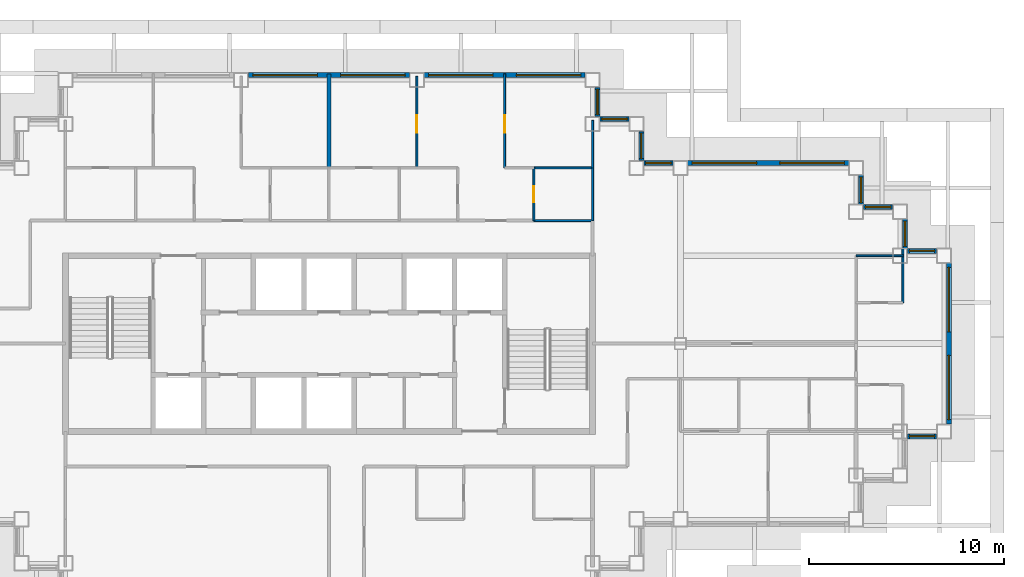
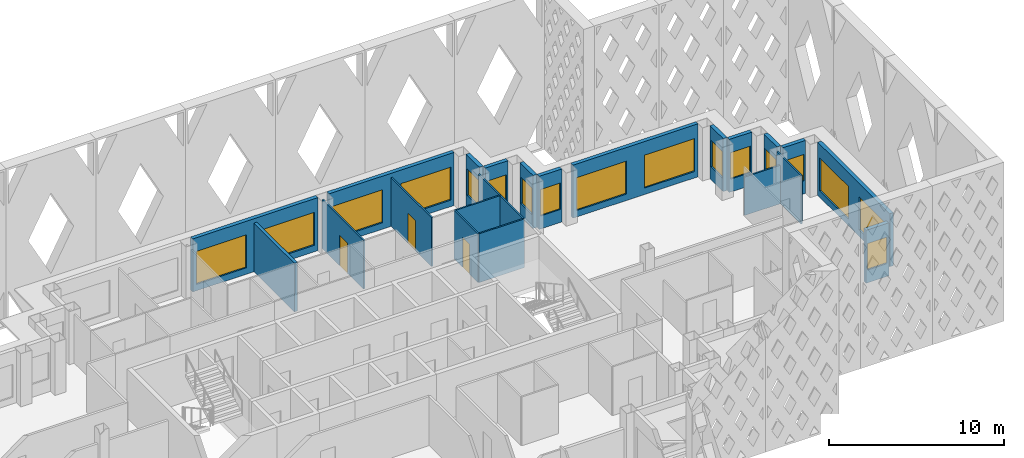
# One storey, part 9 of 18: 23 walls, 17 windows, 3 doors, 20 openings.
"""IFC4 building model written with IfcOpenShell, lengths in metres."""

from ifc_helpers import new_model, si_unit, direction, frame, frame_2d, origin, place, context, subcontext, project, spatial, rectangle, extrude, material, layer, layer_set, type_object, element, fill, save


model = new_model("IFC4")

# Units and contexts
model_context = context("Model", 3, precision=1e-05, world=origin(), true_north=direction((0.0, 1.0)))
body_context = subcontext(model_context, "Body", "Model", "MODEL_VIEW")
ifc_project = project(units=[si_unit("LENGTHUNIT", "METRE"), si_unit("AREAUNIT", "SQUARE_METRE"), si_unit("VOLUMEUNIT", "CUBIC_METRE"), si_unit("PLANEANGLEUNIT", "RADIAN"), si_unit("MASSUNIT", "GRAM", prefix="KILO")], contexts=[model_context])

# Site, building, storey
site_placement = place(None, origin())
site = spatial("IfcSite", under=ifc_project, at=site_placement, CompositionType="ELEMENT")
building_placement = place(site_placement, origin())
building = spatial("IfcBuilding", under=site, at=building_placement, Name="Caravel Reach Hotel and Residences", CompositionType="ELEMENT")
storey_placement = place(building_placement, frame((0.0, 0.0, 176.5)))
storey = spatial("IfcBuildingStorey", under=building, at=storey_placement, Name="L44", CompositionType="ELEMENT", Elevation=176.5)

# Walls
ifc_material_1 = material(Name="Gypsum board on steel stud", Category="steel")
ifc_layer_1 = layer(ifc_material_1, 0.10009765625)
ifc_layer_set_1 = layer_set([ifc_layer_1], Name="Bathroom pod wall 100 mm")
wall_type_1 = type_object("IfcWallType", Name="Bathroom pod wall 100 mm", PredefinedType="PARTITIONING", material=ifc_layer_set_1)
for number, where, z_axis, x_axis, name in (
    (1, (42.0, 33.300048828125, 0.0), (0.0, 0.0, 1.0), (1.0, 0.0, 0.0), "L44 wall w100"),
    (2, (42.0, 36.0, 0.0), (0.0, 0.0, 1.0), (1.0, 0.0, 0.0), "L44 wall w104"),
):
    element("IfcWall", number, at=place(storey_placement, frame(where, z_axis=z_axis, x_axis=x_axis)), inside=storey, type_object=wall_type_1, Name=name, PredefinedType="PARTITIONING", context=body_context, shape_type="SweptSolid", body=[
        extrude(rectangle(XDim=3.0, YDim=0.10009765625, at=frame_2d((1.5, 0.0))), origin(), (0.0, 0.0, 1.0), 3.39990234375),
    ])

# Wall, opening, door
wall_1_placement = place(storey_placement, frame((42.0, 33.300048828125, 0.0), z_axis=(0.0, 0.0, 1.0), x_axis=(0.0, 1.0, 0.0)))
wall_1 = element("IfcWall", 3, at=wall_1_placement, inside=storey, type_object=wall_type_1, Name="L44 wall w120", PredefinedType="PARTITIONING", context=body_context, shape_type="SweptSolid", body=[
    extrude(rectangle(XDim=2.699951171875, YDim=0.10009765625, at=frame_2d((1.35009765625, 0.0))), origin(), (0.0, 0.0, 1.0), 3.39990234375),
])
opening_1_placement = place(wall_1_placement, frame((0.949951171875, 0.0, 0.0)))
opening_1 = element("IfcOpeningElement", 4, at=opening_1_placement, cuts=wall_1, Name="Opening D44-026", PredefinedType="OPENING", context=body_context, shape_type="SweptSolid", body=[
    extrude(rectangle(XDim=0.800048828125, YDim=2.10009765625, at=frame_2d((0.39990234375, 1.050048828125))), frame((0.0, 0.06005859375, 0.0), z_axis=(0.0, -1.0, 0.0), x_axis=(1.0, 0.0, 0.0)), (0.0, 0.0, 1.0), 0.1201171875),
])
ifc_material_2 = material(Name="Timber and steel door leaf", Category="steel")
door_type_1 = type_object("IfcDoorType", Name="Bathroom door 800 x 2100", OperationType="SINGLE_SWING_LEFT", PredefinedType="DOOR", material=ifc_material_2)
door_1_placement = place(opening_1_placement, origin())
door_1 = element("IfcDoor", 5, at=door_1_placement, inside=storey, type_object=door_type_1, Name="door D44-026", OperationType="SINGLE_SWING_RIGHT", OverallHeight=2.10009765625, OverallWidth=0.800048828125, PredefinedType="DOOR", context=body_context, shape_type="SweptSolid", body=[
    extrude(rectangle(XDim=0.800048828125, YDim=2.10009765625, at=frame_2d((0.39990234375, 1.050048828125))), frame((0.0, 0.02490234375, 0.0), z_axis=(0.0, -1.0, 0.0), x_axis=(1.0, 0.0, 0.0)), (0.0, 0.0, 1.0), 0.050048828125),
])
fill(opening_1, door_1)

# Walls
wall_2_placement = place(storey_placement, frame((45.0, 33.300048828125, 0.0), z_axis=(0.0, 0.0, 1.0), x_axis=(0.0, 1.0, 0.0)))
element("IfcWall", 6, at=wall_2_placement, inside=storey, type_object=wall_type_1, Name="L44 wall w121", PredefinedType="PARTITIONING", context=body_context, shape_type="SweptSolid", body=[
    extrude(rectangle(XDim=2.699951171875, YDim=0.10009765625, at=frame_2d((1.35009765625, 0.0))), origin(), (0.0, 0.0, 1.0), 3.39990234375),
])
wall_3_placement = place(storey_placement, frame((60.89990234375, 29.10009765625, 0.0), z_axis=(0.0, 0.0, 1.0), x_axis=(0.0, 1.0, 0.0)))
element("IfcWall", 7, at=wall_3_placement, inside=storey, type_object=wall_type_1, Name="L44 wall w124", PredefinedType="PARTITIONING", context=body_context, shape_type="SweptSolid", body=[
    extrude(rectangle(XDim=2.77490234375, YDim=0.10009765625, at=frame_2d((1.387451171875, 0.0))), origin(), (0.0, 0.0, 1.0), 3.39990234375),
])

# Wall, opening, window
ifc_material_3 = material(Name="Insulated rainscreen wall, aluminium cladding", Category="aluminium")
ifc_layer_2 = layer(ifc_material_3, 0.25)
ifc_layer_set_2 = layer_set([ifc_layer_2], Name="EW1 Tower rainscreen wall")
wall_type_2 = type_object("IfcWallType", Name="EW1 Tower rainscreen wall", PredefinedType="SOLIDWALL", material=ifc_layer_set_2)
wall_4_placement = place(storey_placement, frame((61.125, 22.25, 0.0), z_axis=(0.0, 0.0, 1.0), x_axis=(1.0, 0.0, 0.0)))
wall_4 = element("IfcWall", 8, at=wall_4_placement, inside=storey, type_object=wall_type_2, Name="External wall L44 S19.1", PredefinedType="SOLIDWALL", context=body_context, shape_type="SweptSolid", body=[
    extrude(rectangle(XDim=1.5, YDim=0.25, at=frame_2d((0.75, 0.0))), origin(), (0.0, 0.0, 1.0), 3.699951171875),
])
opening_2_placement = place(wall_4_placement, frame((0.10009765625, 0.0, 0.89990234375)))
opening_2 = element("IfcOpeningElement", 9, at=opening_2_placement, cuts=wall_4, Name="Opening WN16", PredefinedType="OPENING", context=body_context, shape_type="SweptSolid", body=[
    extrude(rectangle(XDim=1.300048828125, YDim=1.85009765625, at=frame_2d((0.64990234375, 0.925048828125))), frame((0.0, 0.135009765625, 0.0), z_axis=(0.0, -1.0, 0.0), x_axis=(1.0, 0.0, 0.0)), (0.0, 0.0, 1.0), 0.27001953125),
])
ifc_material_4 = material(Name="Dark low-e glazing in black aluminium frame", Category="aluminium")
window_type_1 = type_object("IfcWindowType", Name="Residence bedroom window 1300 x 1850", PartitioningType="SINGLE_PANEL", PredefinedType="WINDOW", material=ifc_material_4)
window_1_placement = place(opening_2_placement, origin())
window_1 = element("IfcWindow", 10, at=window_1_placement, inside=storey, type_object=window_type_1, Name="Window L44 S19.1.1", OverallHeight=1.85009765625, OverallWidth=1.300048828125, PartitioningType="SINGLE_PANEL", PredefinedType="WINDOW", context=body_context, shape_type="SweptSolid", body=[
    extrude(rectangle(XDim=1.300048828125, YDim=1.85009765625, at=frame_2d((0.64990234375, 0.925048828125))), frame((0.0, 0.030029296875, 0.0), z_axis=(0.0, -1.0, 0.0), x_axis=(1.0, 0.0, 0.0)), (0.0, 0.0, 1.0), 0.06005859375),
])
fill(opening_2, window_1)

# Wall, openings, windows
wall_5_placement = place(storey_placement, frame((63.25, 22.875, 0.0), z_axis=(0.0, 0.0, 1.0), x_axis=(0.0, 1.0, 0.0)))
wall_5 = element("IfcWall", 11, at=wall_5_placement, inside=storey, type_object=wall_type_2, Name="External wall L44 E20.1", PredefinedType="SOLIDWALL", context=body_context, shape_type="SweptSolid", body=[
    extrude(rectangle(XDim=8.25, YDim=0.25, at=frame_2d((4.125, 0.0))), origin(), (0.0, 0.0, 1.0), 3.699951171875),
])
opening_3_placement = place(wall_5_placement, frame((0.22509765625, 0.0, 0.449951171875)))
opening_3 = element("IfcOpeningElement", 12, at=opening_3_placement, cuts=wall_5, Name="Opening WN15", PredefinedType="OPENING", context=body_context, shape_type="SweptSolid", body=[
    extrude(rectangle(XDim=3.300048828125, YDim=2.300048828125, at=frame_2d((1.64990234375, 1.14990234375))), frame((0.0, 0.135009765625, 0.0), z_axis=(0.0, -1.0, 0.0), x_axis=(1.0, 0.0, 0.0)), (0.0, 0.0, 1.0), 0.27001953125),
])
opening_4_placement = place(wall_5_placement, frame((4.72509765625, 0.0, 0.449951171875)))
opening_4 = element("IfcOpeningElement", 13, at=opening_4_placement, cuts=wall_5, Name="Opening WN15", PredefinedType="OPENING", context=body_context, shape_type="SweptSolid", body=[
    extrude(rectangle(XDim=3.300048828125, YDim=2.300048828125, at=frame_2d((1.64990234375, 1.14990234375))), frame((0.0, 0.135009765625, 0.0), z_axis=(0.0, -1.0, 0.0), x_axis=(1.0, 0.0, 0.0)), (0.0, 0.0, 1.0), 0.27001953125),
])
ifc_material_5 = material(Name="Dark low-e glazing in black aluminium frame", Category="aluminium")
window_type_2 = type_object("IfcWindowType", Name="Residence living window 3300 x 2300", PartitioningType="SINGLE_PANEL", PredefinedType="WINDOW", material=ifc_material_5)
window_2_placement = place(opening_3_placement, origin())
window_2 = element("IfcWindow", 14, at=window_2_placement, inside=storey, type_object=window_type_2, Name="Window L44 E20.1.1", OverallHeight=2.300048828125, OverallWidth=3.300048828125, PartitioningType="SINGLE_PANEL", PredefinedType="WINDOW", context=body_context, shape_type="SweptSolid", body=[
    extrude(rectangle(XDim=3.300048828125, YDim=2.300048828125, at=frame_2d((1.64990234375, 1.14990234375))), frame((0.0, 0.030029296875, 0.0), z_axis=(0.0, -1.0, 0.0), x_axis=(1.0, 0.0, 0.0)), (0.0, 0.0, 1.0), 0.06005859375),
])
fill(opening_3, window_2)
window_3_placement = place(opening_4_placement, origin())
window_3 = element("IfcWindow", 15, at=window_3_placement, inside=storey, type_object=window_type_2, Name="Window L44 E20.1.2", OverallHeight=2.300048828125, OverallWidth=3.300048828125, PartitioningType="SINGLE_PANEL", PredefinedType="WINDOW", context=body_context, shape_type="SweptSolid", body=[
    extrude(rectangle(XDim=3.300048828125, YDim=2.300048828125, at=frame_2d((1.64990234375, 1.14990234375))), frame((0.0, 0.030029296875, 0.0), z_axis=(0.0, -1.0, 0.0), x_axis=(1.0, 0.0, 0.0)), (0.0, 0.0, 1.0), 0.06005859375),
])
fill(opening_4, window_3)

# Wall, opening, window
wall_6_placement = place(storey_placement, frame((62.625, 31.75, 0.0), z_axis=(0.0, 0.0, 1.0), x_axis=(-1.0, 0.0, 0.0)))
wall_6 = element("IfcWall", 16, at=wall_6_placement, inside=storey, type_object=wall_type_2, Name="External wall L44 N21.1", PredefinedType="SOLIDWALL", context=body_context, shape_type="SweptSolid", body=[
    extrude(rectangle(XDim=1.5, YDim=0.25, at=frame_2d((0.75, 0.0))), origin(), (0.0, 0.0, 1.0), 3.699951171875),
])
opening_5_placement = place(wall_6_placement, frame((0.10009765625, 0.0, 0.89990234375)))
opening_5 = element("IfcOpeningElement", 17, at=opening_5_placement, cuts=wall_6, Name="Opening WN16", PredefinedType="OPENING", context=body_context, shape_type="SweptSolid", body=[
    extrude(rectangle(XDim=1.300048828125, YDim=1.85009765625, at=frame_2d((0.64990234375, 0.925048828125))), frame((0.0, 0.135009765625, 0.0), z_axis=(0.0, -1.0, 0.0), x_axis=(1.0, 0.0, 0.0)), (0.0, 0.0, 1.0), 0.27001953125),
])
window_4_placement = place(opening_5_placement, origin())
window_4 = element("IfcWindow", 18, at=window_4_placement, inside=storey, type_object=window_type_1, Name="Window L44 N21.1.1", OverallHeight=1.85009765625, OverallWidth=1.300048828125, PartitioningType="SINGLE_PANEL", PredefinedType="WINDOW", context=body_context, shape_type="SweptSolid", body=[
    extrude(rectangle(XDim=1.300048828125, YDim=1.85009765625, at=frame_2d((0.64990234375, 0.925048828125))), frame((0.0, 0.030029296875, 0.0), z_axis=(0.0, -1.0, 0.0), x_axis=(1.0, 0.0, 0.0)), (0.0, 0.0, 1.0), 0.06005859375),
])
fill(opening_5, window_4)

wall_7_placement = place(storey_placement, frame((61.0, 31.875, 0.0), z_axis=(0.0, 0.0, 1.0), x_axis=(0.0, 1.0, 0.0)))
wall_7 = element("IfcWall", 19, at=wall_7_placement, inside=storey, type_object=wall_type_2, Name="External wall L44 E22.1", PredefinedType="SOLIDWALL", context=body_context, shape_type="SweptSolid", body=[
    extrude(rectangle(XDim=1.5, YDim=0.25, at=frame_2d((0.75, 0.0))), origin(), (0.0, 0.0, 1.0), 3.699951171875),
])
opening_6_placement = place(wall_7_placement, frame((0.10009765625, 0.0, 0.89990234375)))
opening_6 = element("IfcOpeningElement", 20, at=opening_6_placement, cuts=wall_7, Name="Opening WN16", PredefinedType="OPENING", context=body_context, shape_type="SweptSolid", body=[
    extrude(rectangle(XDim=1.300048828125, YDim=1.85009765625, at=frame_2d((0.64990234375, 0.925048828125))), frame((0.0, 0.135009765625, 0.0), z_axis=(0.0, -1.0, 0.0), x_axis=(1.0, 0.0, 0.0)), (0.0, 0.0, 1.0), 0.27001953125),
])
window_5_placement = place(opening_6_placement, origin())
window_5 = element("IfcWindow", 21, at=window_5_placement, inside=storey, type_object=window_type_1, Name="Window L44 E22.1.1", OverallHeight=1.85009765625, OverallWidth=1.300048828125, PartitioningType="SINGLE_PANEL", PredefinedType="WINDOW", context=body_context, shape_type="SweptSolid", body=[
    extrude(rectangle(XDim=1.300048828125, YDim=1.85009765625, at=frame_2d((0.64990234375, 0.925048828125))), frame((0.0, 0.030029296875, 0.0), z_axis=(0.0, -1.0, 0.0), x_axis=(1.0, 0.0, 0.0)), (0.0, 0.0, 1.0), 0.06005859375),
])
fill(opening_6, window_5)

wall_8_placement = place(storey_placement, frame((60.375, 34.0, 0.0), z_axis=(0.0, 0.0, 1.0), x_axis=(-1.0, 0.0, 0.0)))
wall_8 = element("IfcWall", 22, at=wall_8_placement, inside=storey, type_object=wall_type_2, Name="External wall L44 N23.1", PredefinedType="SOLIDWALL", context=body_context, shape_type="SweptSolid", body=[
    extrude(rectangle(XDim=1.5, YDim=0.25, at=frame_2d((0.75, 0.0))), origin(), (0.0, 0.0, 1.0), 3.699951171875),
])
opening_7_placement = place(wall_8_placement, frame((0.10009765625, 0.0, 0.89990234375)))
opening_7 = element("IfcOpeningElement", 23, at=opening_7_placement, cuts=wall_8, Name="Opening WN16", PredefinedType="OPENING", context=body_context, shape_type="SweptSolid", body=[
    extrude(rectangle(XDim=1.300048828125, YDim=1.85009765625, at=frame_2d((0.64990234375, 0.925048828125))), frame((0.0, 0.135009765625, 0.0), z_axis=(0.0, -1.0, 0.0), x_axis=(1.0, 0.0, 0.0)), (0.0, 0.0, 1.0), 0.27001953125),
])
window_6_placement = place(opening_7_placement, origin())
window_6 = element("IfcWindow", 24, at=window_6_placement, inside=storey, type_object=window_type_1, Name="Window L44 N23.1.1", OverallHeight=1.85009765625, OverallWidth=1.300048828125, PartitioningType="SINGLE_PANEL", PredefinedType="WINDOW", context=body_context, shape_type="SweptSolid", body=[
    extrude(rectangle(XDim=1.300048828125, YDim=1.85009765625, at=frame_2d((0.64990234375, 0.925048828125))), frame((0.0, 0.030029296875, 0.0), z_axis=(0.0, -1.0, 0.0), x_axis=(1.0, 0.0, 0.0)), (0.0, 0.0, 1.0), 0.06005859375),
])
fill(opening_7, window_6)

wall_9_placement = place(storey_placement, frame((58.75, 34.125, 0.0), z_axis=(0.0, 0.0, 1.0), x_axis=(0.0, 1.0, 0.0)))
wall_9 = element("IfcWall", 25, at=wall_9_placement, inside=storey, type_object=wall_type_2, Name="External wall L44 E24.1", PredefinedType="SOLIDWALL", context=body_context, shape_type="SweptSolid", body=[
    extrude(rectangle(XDim=1.5, YDim=0.25, at=frame_2d((0.75, 0.0))), origin(), (0.0, 0.0, 1.0), 3.699951171875),
])
opening_8_placement = place(wall_9_placement, frame((0.10009765625, 0.0, 0.89990234375)))
opening_8 = element("IfcOpeningElement", 26, at=opening_8_placement, cuts=wall_9, Name="Opening WN16", PredefinedType="OPENING", context=body_context, shape_type="SweptSolid", body=[
    extrude(rectangle(XDim=1.300048828125, YDim=1.85009765625, at=frame_2d((0.64990234375, 0.925048828125))), frame((0.0, 0.135009765625, 0.0), z_axis=(0.0, -1.0, 0.0), x_axis=(1.0, 0.0, 0.0)), (0.0, 0.0, 1.0), 0.27001953125),
])
window_7_placement = place(opening_8_placement, origin())
window_7 = element("IfcWindow", 27, at=window_7_placement, inside=storey, type_object=window_type_1, Name="Window L44 E24.1.1", OverallHeight=1.85009765625, OverallWidth=1.300048828125, PartitioningType="SINGLE_PANEL", PredefinedType="WINDOW", context=body_context, shape_type="SweptSolid", body=[
    extrude(rectangle(XDim=1.300048828125, YDim=1.85009765625, at=frame_2d((0.64990234375, 0.925048828125))), frame((0.0, 0.030029296875, 0.0), z_axis=(0.0, -1.0, 0.0), x_axis=(1.0, 0.0, 0.0)), (0.0, 0.0, 1.0), 0.06005859375),
])
fill(opening_8, window_7)

# Wall, openings, windows
wall_10_placement = place(storey_placement, frame((58.125, 36.25, 0.0), z_axis=(0.0, 0.0, 1.0), x_axis=(-1.0, 0.0, 0.0)))
wall_10 = element("IfcWall", 28, at=wall_10_placement, inside=storey, type_object=wall_type_2, Name="External wall L44 N25.1", PredefinedType="SOLIDWALL", context=body_context, shape_type="SweptSolid", body=[
    extrude(rectangle(XDim=8.25, YDim=0.25, at=frame_2d((4.125, 0.0))), origin(), (0.0, 0.0, 1.0), 3.699951171875),
])
opening_9_placement = place(wall_10_placement, frame((0.22509765625, 0.0, 0.449951171875)))
opening_9 = element("IfcOpeningElement", 29, at=opening_9_placement, cuts=wall_10, Name="Opening WN15", PredefinedType="OPENING", context=body_context, shape_type="SweptSolid", body=[
    extrude(rectangle(XDim=3.300048828125, YDim=2.300048828125, at=frame_2d((1.64990234375, 1.14990234375))), frame((0.0, 0.135009765625, 0.0), z_axis=(0.0, -1.0, 0.0), x_axis=(1.0, 0.0, 0.0)), (0.0, 0.0, 1.0), 0.27001953125),
])
opening_10_placement = place(wall_10_placement, frame((4.72509765625, 0.0, 0.449951171875)))
opening_10 = element("IfcOpeningElement", 30, at=opening_10_placement, cuts=wall_10, Name="Opening WN15", PredefinedType="OPENING", context=body_context, shape_type="SweptSolid", body=[
    extrude(rectangle(XDim=3.300048828125, YDim=2.300048828125, at=frame_2d((1.64990234375, 1.14990234375))), frame((0.0, 0.135009765625, 0.0), z_axis=(0.0, -1.0, 0.0), x_axis=(1.0, 0.0, 0.0)), (0.0, 0.0, 1.0), 0.27001953125),
])
window_8_placement = place(opening_9_placement, origin())
window_8 = element("IfcWindow", 31, at=window_8_placement, inside=storey, type_object=window_type_2, Name="Window L44 N25.1.1", OverallHeight=2.300048828125, OverallWidth=3.300048828125, PartitioningType="SINGLE_PANEL", PredefinedType="WINDOW", context=body_context, shape_type="SweptSolid", body=[
    extrude(rectangle(XDim=3.300048828125, YDim=2.300048828125, at=frame_2d((1.64990234375, 1.14990234375))), frame((0.0, 0.030029296875, 0.0), z_axis=(0.0, -1.0, 0.0), x_axis=(1.0, 0.0, 0.0)), (0.0, 0.0, 1.0), 0.06005859375),
])
fill(opening_9, window_8)
window_9_placement = place(opening_10_placement, origin())
window_9 = element("IfcWindow", 32, at=window_9_placement, inside=storey, type_object=window_type_2, Name="Window L44 N25.1.2", OverallHeight=2.300048828125, OverallWidth=3.300048828125, PartitioningType="SINGLE_PANEL", PredefinedType="WINDOW", context=body_context, shape_type="SweptSolid", body=[
    extrude(rectangle(XDim=3.300048828125, YDim=2.300048828125, at=frame_2d((1.64990234375, 1.14990234375))), frame((0.0, 0.030029296875, 0.0), z_axis=(0.0, -1.0, 0.0), x_axis=(1.0, 0.0, 0.0)), (0.0, 0.0, 1.0), 0.06005859375),
])
fill(opening_10, window_9)

# Wall, opening, window
wall_11_placement = place(storey_placement, frame((49.125, 36.25, 0.0), z_axis=(0.0, 0.0, 1.0), x_axis=(-1.0, 0.0, 0.0)))
wall_11 = element("IfcWall", 33, at=wall_11_placement, inside=storey, type_object=wall_type_2, Name="External wall L44 N25.2", PredefinedType="SOLIDWALL", context=body_context, shape_type="SweptSolid", body=[
    extrude(rectangle(XDim=1.5, YDim=0.25, at=frame_2d((0.75, 0.0))), origin(), (0.0, 0.0, 1.0), 3.699951171875),
])
opening_11_placement = place(wall_11_placement, frame((0.10009765625, 0.0, 0.89990234375)))
opening_11 = element("IfcOpeningElement", 34, at=opening_11_placement, cuts=wall_11, Name="Opening WN16", PredefinedType="OPENING", context=body_context, shape_type="SweptSolid", body=[
    extrude(rectangle(XDim=1.300048828125, YDim=1.85009765625, at=frame_2d((0.64990234375, 0.925048828125))), frame((0.0, 0.135009765625, 0.0), z_axis=(0.0, -1.0, 0.0), x_axis=(1.0, 0.0, 0.0)), (0.0, 0.0, 1.0), 0.27001953125),
])
window_10_placement = place(opening_11_placement, origin())
window_10 = element("IfcWindow", 35, at=window_10_placement, inside=storey, type_object=window_type_1, Name="Window L44 N25.2.1", OverallHeight=1.85009765625, OverallWidth=1.300048828125, PartitioningType="SINGLE_PANEL", PredefinedType="WINDOW", context=body_context, shape_type="SweptSolid", body=[
    extrude(rectangle(XDim=1.300048828125, YDim=1.85009765625, at=frame_2d((0.64990234375, 0.925048828125))), frame((0.0, 0.030029296875, 0.0), z_axis=(0.0, -1.0, 0.0), x_axis=(1.0, 0.0, 0.0)), (0.0, 0.0, 1.0), 0.06005859375),
])
fill(opening_11, window_10)

wall_12_placement = place(storey_placement, frame((47.5, 36.375, 0.0), z_axis=(0.0, 0.0, 1.0), x_axis=(0.0, 1.0, 0.0)))
wall_12 = element("IfcWall", 36, at=wall_12_placement, inside=storey, type_object=wall_type_2, Name="External wall L44 E26.1", PredefinedType="SOLIDWALL", context=body_context, shape_type="SweptSolid", body=[
    extrude(rectangle(XDim=1.5, YDim=0.25, at=frame_2d((0.75, 0.0))), origin(), (0.0, 0.0, 1.0), 3.699951171875),
])
opening_12_placement = place(wall_12_placement, frame((0.10009765625, 0.0, 0.89990234375)))
opening_12 = element("IfcOpeningElement", 37, at=opening_12_placement, cuts=wall_12, Name="Opening WN16", PredefinedType="OPENING", context=body_context, shape_type="SweptSolid", body=[
    extrude(rectangle(XDim=1.300048828125, YDim=1.85009765625, at=frame_2d((0.64990234375, 0.925048828125))), frame((0.0, 0.135009765625, 0.0), z_axis=(0.0, -1.0, 0.0), x_axis=(1.0, 0.0, 0.0)), (0.0, 0.0, 1.0), 0.27001953125),
])
window_11_placement = place(opening_12_placement, origin())
window_11 = element("IfcWindow", 38, at=window_11_placement, inside=storey, type_object=window_type_1, Name="Window L44 E26.1.1", OverallHeight=1.85009765625, OverallWidth=1.300048828125, PartitioningType="SINGLE_PANEL", PredefinedType="WINDOW", context=body_context, shape_type="SweptSolid", body=[
    extrude(rectangle(XDim=1.300048828125, YDim=1.85009765625, at=frame_2d((0.64990234375, 0.925048828125))), frame((0.0, 0.030029296875, 0.0), z_axis=(0.0, -1.0, 0.0), x_axis=(1.0, 0.0, 0.0)), (0.0, 0.0, 1.0), 0.06005859375),
])
fill(opening_12, window_11)

wall_13_placement = place(storey_placement, frame((46.875, 38.5, 0.0), z_axis=(0.0, 0.0, 1.0), x_axis=(-1.0, 0.0, 0.0)))
wall_13 = element("IfcWall", 39, at=wall_13_placement, inside=storey, type_object=wall_type_2, Name="External wall L44 N27.1", PredefinedType="SOLIDWALL", context=body_context, shape_type="SweptSolid", body=[
    extrude(rectangle(XDim=1.5, YDim=0.25, at=frame_2d((0.75, 0.0))), origin(), (0.0, 0.0, 1.0), 3.699951171875),
])
opening_13_placement = place(wall_13_placement, frame((0.10009765625, 0.0, 0.89990234375)))
opening_13 = element("IfcOpeningElement", 40, at=opening_13_placement, cuts=wall_13, Name="Opening WN16", PredefinedType="OPENING", context=body_context, shape_type="SweptSolid", body=[
    extrude(rectangle(XDim=1.300048828125, YDim=1.85009765625, at=frame_2d((0.64990234375, 0.925048828125))), frame((0.0, 0.135009765625, 0.0), z_axis=(0.0, -1.0, 0.0), x_axis=(1.0, 0.0, 0.0)), (0.0, 0.0, 1.0), 0.27001953125),
])
window_12_placement = place(opening_13_placement, origin())
window_12 = element("IfcWindow", 41, at=window_12_placement, inside=storey, type_object=window_type_1, Name="Window L44 N27.1.1", OverallHeight=1.85009765625, OverallWidth=1.300048828125, PartitioningType="SINGLE_PANEL", PredefinedType="WINDOW", context=body_context, shape_type="SweptSolid", body=[
    extrude(rectangle(XDim=1.300048828125, YDim=1.85009765625, at=frame_2d((0.64990234375, 0.925048828125))), frame((0.0, 0.030029296875, 0.0), z_axis=(0.0, -1.0, 0.0), x_axis=(1.0, 0.0, 0.0)), (0.0, 0.0, 1.0), 0.06005859375),
])
fill(opening_13, window_12)

wall_14_placement = place(storey_placement, frame((45.25, 38.625, 0.0), z_axis=(0.0, 0.0, 1.0), x_axis=(0.0, 1.0, 0.0)))
wall_14 = element("IfcWall", 42, at=wall_14_placement, inside=storey, type_object=wall_type_2, Name="External wall L44 E28.1", PredefinedType="SOLIDWALL", context=body_context, shape_type="SweptSolid", body=[
    extrude(rectangle(XDim=1.5, YDim=0.25, at=frame_2d((0.75, 0.0))), origin(), (0.0, 0.0, 1.0), 3.699951171875),
])
opening_14_placement = place(wall_14_placement, frame((0.10009765625, 0.0, 0.89990234375)))
opening_14 = element("IfcOpeningElement", 43, at=opening_14_placement, cuts=wall_14, Name="Opening WN16", PredefinedType="OPENING", context=body_context, shape_type="SweptSolid", body=[
    extrude(rectangle(XDim=1.300048828125, YDim=1.85009765625, at=frame_2d((0.64990234375, 0.925048828125))), frame((0.0, 0.135009765625, 0.0), z_axis=(0.0, -1.0, 0.0), x_axis=(1.0, 0.0, 0.0)), (0.0, 0.0, 1.0), 0.27001953125),
])
window_13_placement = place(opening_14_placement, origin())
window_13 = element("IfcWindow", 44, at=window_13_placement, inside=storey, type_object=window_type_1, Name="Window L44 E28.1.1", OverallHeight=1.85009765625, OverallWidth=1.300048828125, PartitioningType="SINGLE_PANEL", PredefinedType="WINDOW", context=body_context, shape_type="SweptSolid", body=[
    extrude(rectangle(XDim=1.300048828125, YDim=1.85009765625, at=frame_2d((0.64990234375, 0.925048828125))), frame((0.0, 0.030029296875, 0.0), z_axis=(0.0, -1.0, 0.0), x_axis=(1.0, 0.0, 0.0)), (0.0, 0.0, 1.0), 0.06005859375),
])
fill(opening_14, window_13)

# Wall, openings, windows
wall_15_placement = place(storey_placement, frame((44.625, 40.75, 0.0), z_axis=(0.0, 0.0, 1.0), x_axis=(-1.0, 0.0, 0.0)))
wall_15 = element("IfcWall", 45, at=wall_15_placement, inside=storey, type_object=wall_type_2, Name="External wall L44 N29.1", PredefinedType="SOLIDWALL", context=body_context, shape_type="SweptSolid", body=[
    extrude(rectangle(XDim=8.25, YDim=0.25, at=frame_2d((4.125, 0.0))), origin(), (0.0, 0.0, 1.0), 3.699951171875),
])
opening_15_placement = place(wall_15_placement, frame((0.22509765625, 0.0, 0.449951171875)))
opening_15 = element("IfcOpeningElement", 46, at=opening_15_placement, cuts=wall_15, Name="Opening WN15", PredefinedType="OPENING", context=body_context, shape_type="SweptSolid", body=[
    extrude(rectangle(XDim=3.300048828125, YDim=2.300048828125, at=frame_2d((1.64990234375, 1.14990234375))), frame((0.0, 0.135009765625, 0.0), z_axis=(0.0, -1.0, 0.0), x_axis=(1.0, 0.0, 0.0)), (0.0, 0.0, 1.0), 0.27001953125),
])
opening_16_placement = place(wall_15_placement, frame((4.72509765625, 0.0, 0.449951171875)))
opening_16 = element("IfcOpeningElement", 47, at=opening_16_placement, cuts=wall_15, Name="Opening WN15", PredefinedType="OPENING", context=body_context, shape_type="SweptSolid", body=[
    extrude(rectangle(XDim=3.300048828125, YDim=2.300048828125, at=frame_2d((1.64990234375, 1.14990234375))), frame((0.0, 0.135009765625, 0.0), z_axis=(0.0, -1.0, 0.0), x_axis=(1.0, 0.0, 0.0)), (0.0, 0.0, 1.0), 0.27001953125),
])
window_14_placement = place(opening_15_placement, origin())
window_14 = element("IfcWindow", 48, at=window_14_placement, inside=storey, type_object=window_type_2, Name="Window L44 N29.1.1", OverallHeight=2.300048828125, OverallWidth=3.300048828125, PartitioningType="SINGLE_PANEL", PredefinedType="WINDOW", context=body_context, shape_type="SweptSolid", body=[
    extrude(rectangle(XDim=3.300048828125, YDim=2.300048828125, at=frame_2d((1.64990234375, 1.14990234375))), frame((0.0, 0.030029296875, 0.0), z_axis=(0.0, -1.0, 0.0), x_axis=(1.0, 0.0, 0.0)), (0.0, 0.0, 1.0), 0.06005859375),
])
fill(opening_15, window_14)
window_15_placement = place(opening_16_placement, origin())
window_15 = element("IfcWindow", 49, at=window_15_placement, inside=storey, type_object=window_type_2, Name="Window L44 N29.1.2", OverallHeight=2.300048828125, OverallWidth=3.300048828125, PartitioningType="SINGLE_PANEL", PredefinedType="WINDOW", context=body_context, shape_type="SweptSolid", body=[
    extrude(rectangle(XDim=3.300048828125, YDim=2.300048828125, at=frame_2d((1.64990234375, 1.14990234375))), frame((0.0, 0.030029296875, 0.0), z_axis=(0.0, -1.0, 0.0), x_axis=(1.0, 0.0, 0.0)), (0.0, 0.0, 1.0), 0.06005859375),
])
fill(opening_16, window_15)

wall_16_placement = place(storey_placement, frame((35.625, 40.75, 0.0), z_axis=(0.0, 0.0, 1.0), x_axis=(-1.0, 0.0, 0.0)))
wall_16 = element("IfcWall", 50, at=wall_16_placement, inside=storey, type_object=wall_type_2, Name="External wall L44 N29.2", PredefinedType="SOLIDWALL", context=body_context, shape_type="SweptSolid", body=[
    extrude(rectangle(XDim=8.25, YDim=0.25, at=frame_2d((4.125, 0.0))), origin(), (0.0, 0.0, 1.0), 3.699951171875),
])
opening_17_placement = place(wall_16_placement, frame((0.22509765625, 0.0, 0.449951171875)))
opening_17 = element("IfcOpeningElement", 51, at=opening_17_placement, cuts=wall_16, Name="Opening WN15", PredefinedType="OPENING", context=body_context, shape_type="SweptSolid", body=[
    extrude(rectangle(XDim=3.300048828125, YDim=2.300048828125, at=frame_2d((1.64990234375, 1.14990234375))), frame((0.0, 0.135009765625, 0.0), z_axis=(0.0, -1.0, 0.0), x_axis=(1.0, 0.0, 0.0)), (0.0, 0.0, 1.0), 0.27001953125),
])
opening_18_placement = place(wall_16_placement, frame((4.72509765625, 0.0, 0.449951171875)))
opening_18 = element("IfcOpeningElement", 52, at=opening_18_placement, cuts=wall_16, Name="Opening WN15", PredefinedType="OPENING", context=body_context, shape_type="SweptSolid", body=[
    extrude(rectangle(XDim=3.300048828125, YDim=2.300048828125, at=frame_2d((1.64990234375, 1.14990234375))), frame((0.0, 0.135009765625, 0.0), z_axis=(0.0, -1.0, 0.0), x_axis=(1.0, 0.0, 0.0)), (0.0, 0.0, 1.0), 0.27001953125),
])
window_16_placement = place(opening_17_placement, origin())
window_16 = element("IfcWindow", 53, at=window_16_placement, inside=storey, type_object=window_type_2, Name="Window L44 N29.2.1", OverallHeight=2.300048828125, OverallWidth=3.300048828125, PartitioningType="SINGLE_PANEL", PredefinedType="WINDOW", context=body_context, shape_type="SweptSolid", body=[
    extrude(rectangle(XDim=3.300048828125, YDim=2.300048828125, at=frame_2d((1.64990234375, 1.14990234375))), frame((0.0, 0.030029296875, 0.0), z_axis=(0.0, -1.0, 0.0), x_axis=(1.0, 0.0, 0.0)), (0.0, 0.0, 1.0), 0.06005859375),
])
fill(opening_17, window_16)
window_17_placement = place(opening_18_placement, origin())
window_17 = element("IfcWindow", 54, at=window_17_placement, inside=storey, type_object=window_type_2, Name="Window L44 N29.2.2", OverallHeight=2.300048828125, OverallWidth=3.300048828125, PartitioningType="SINGLE_PANEL", PredefinedType="WINDOW", context=body_context, shape_type="SweptSolid", body=[
    extrude(rectangle(XDim=3.300048828125, YDim=2.300048828125, at=frame_2d((1.64990234375, 1.14990234375))), frame((0.0, 0.030029296875, 0.0), z_axis=(0.0, -1.0, 0.0), x_axis=(1.0, 0.0, 0.0)), (0.0, 0.0, 1.0), 0.06005859375),
])
fill(opening_18, window_17)

# Wall
ifc_material_6 = material(Name="Gypsum board on steel stud", Category="steel")
ifc_layer_3 = layer(ifc_material_6, 0.10009765625)
ifc_layer_set_3 = layer_set([ifc_layer_3], Name="Partition 100 mm")
wall_type_3 = type_object("IfcWallType", Name="Partition 100 mm", PredefinedType="PARTITIONING", material=ifc_layer_set_3)
wall_17_placement = place(storey_placement, frame((58.5009765625, 31.5, 0.0), z_axis=(0.0, 0.0, 1.0), x_axis=(1.0, 0.0, 0.0)))
element("IfcWall", 55, at=wall_17_placement, inside=storey, type_object=wall_type_3, Name="L44 wall w040", PredefinedType="PARTITIONING", context=body_context, shape_type="SweptSolid", body=[
    extrude(rectangle(XDim=2.43896484375, YDim=0.10009765625, at=frame_2d((1.219482421875, 0.0))), origin(), (0.0, 0.0, 1.0), 2.679931640625),
])

# Wall, opening, door
wall_18_placement = place(storey_placement, frame((36.0, 36.0, 0.0), z_axis=(0.0, 0.0, 1.0), x_axis=(0.0, 1.0, 0.0)))
wall_18 = element("IfcWall", 56, at=wall_18_placement, inside=storey, type_object=wall_type_3, Name="L44 wall w062", PredefinedType="PARTITIONING", context=body_context, shape_type="SweptSolid", body=[
    extrude(rectangle(XDim=4.68994140625, YDim=0.10009765625, at=frame_2d((2.344970703125, 0.0))), origin(), (0.0, 0.0, 1.0), 3.39990234375),
])
opening_19_placement = place(wall_18_placement, frame((1.800048828125, 0.0, 0.0)))
opening_19 = element("IfcOpeningElement", 57, at=opening_19_placement, cuts=wall_18, Name="Opening D44-027", PredefinedType="OPENING", context=body_context, shape_type="SweptSolid", body=[
    extrude(rectangle(XDim=0.89990234375, YDim=2.10009765625, at=frame_2d((0.449951171875, 1.050048828125))), frame((0.0, 0.06005859375, 0.0), z_axis=(0.0, -1.0, 0.0), x_axis=(1.0, 0.0, 0.0)), (0.0, 0.0, 1.0), 0.1201171875),
])
ifc_material_7 = material(Name="Timber and steel door leaf", Category="steel")
door_type_2 = type_object("IfcDoorType", Name="Door 900 x 2100 timber", OperationType="SINGLE_SWING_LEFT", PredefinedType="DOOR", material=ifc_material_7)
door_2_placement = place(opening_19_placement, origin())
door_2 = element("IfcDoor", 58, at=door_2_placement, inside=storey, type_object=door_type_2, Name="door D44-027", OperationType="SINGLE_SWING_RIGHT", OverallHeight=2.10009765625, OverallWidth=0.89990234375, PredefinedType="DOOR", context=body_context, shape_type="SweptSolid", body=[
    extrude(rectangle(XDim=0.89990234375, YDim=2.10009765625, at=frame_2d((0.449951171875, 1.050048828125))), frame((0.0, 0.02490234375, 0.0), z_axis=(0.0, -1.0, 0.0), x_axis=(1.0, 0.0, 0.0)), (0.0, 0.0, 1.0), 0.050048828125),
])
fill(opening_19, door_2)

wall_19_placement = place(storey_placement, frame((40.5, 36.0, 0.0), z_axis=(0.0, 0.0, 1.0), x_axis=(0.0, 1.0, 0.0)))
wall_19 = element("IfcWall", 59, at=wall_19_placement, inside=storey, type_object=wall_type_3, Name="L44 wall w070", PredefinedType="PARTITIONING", context=body_context, shape_type="SweptSolid", body=[
    extrude(rectangle(XDim=4.81494140625, YDim=0.10009765625, at=frame_2d((2.407470703125, 0.0))), origin(), (0.0, 0.0, 1.0), 3.39990234375),
])
opening_20_placement = place(wall_19_placement, frame((1.800048828125, 0.0, 0.0)))
opening_20 = element("IfcOpeningElement", 60, at=opening_20_placement, cuts=wall_19, Name="Opening D44-028", PredefinedType="OPENING", context=body_context, shape_type="SweptSolid", body=[
    extrude(rectangle(XDim=0.89990234375, YDim=2.10009765625, at=frame_2d((0.449951171875, 1.050048828125))), frame((0.0, 0.06005859375, 0.0), z_axis=(0.0, -1.0, 0.0), x_axis=(1.0, 0.0, 0.0)), (0.0, 0.0, 1.0), 0.1201171875),
])
door_3_placement = place(opening_20_placement, origin())
door_3 = element("IfcDoor", 61, at=door_3_placement, inside=storey, type_object=door_type_2, Name="door D44-028", OperationType="SINGLE_SWING_RIGHT", OverallHeight=2.10009765625, OverallWidth=0.89990234375, PredefinedType="DOOR", context=body_context, shape_type="SweptSolid", body=[
    extrude(rectangle(XDim=0.89990234375, YDim=2.10009765625, at=frame_2d((0.449951171875, 1.050048828125))), frame((0.0, 0.02490234375, 0.0), z_axis=(0.0, -1.0, 0.0), x_axis=(1.0, 0.0, 0.0)), (0.0, 0.0, 1.0), 0.050048828125),
])
fill(opening_20, door_3)

# Walls
wall_20_placement = place(storey_placement, frame((45.0, 36.0009765625, 0.0), z_axis=(0.0, 0.0, 1.0), x_axis=(0.0, 1.0, 0.0)))
element("IfcWall", 62, at=wall_20_placement, inside=storey, type_object=wall_type_3, Name="L44 wall w072", PredefinedType="PARTITIONING", context=body_context, shape_type="SweptSolid", body=[
    extrude(rectangle(XDim=2.43896484375, YDim=0.10009765625, at=frame_2d((1.219482421875, 0.0))), origin(), (0.0, 0.0, 1.0), 3.39990234375),
])
ifc_material_8 = material(Name="Autoclaved aerated block wall")
ifc_layer_4 = layer(ifc_material_8, 0.199951171875)
ifc_layer_set_4 = layer_set([ifc_layer_4], Name="Party wall 200 mm EI 60")
wall_type_4 = type_object("IfcWallType", Name="Party wall 200 mm EI 60", PredefinedType="PARTITIONING", material=ifc_layer_set_4)
wall_21_placement = place(storey_placement, frame((31.5, 36.0, 0.0), z_axis=(0.0, 0.0, 1.0), x_axis=(0.0, 1.0, 0.0)))
element("IfcWall", 63, at=wall_21_placement, inside=storey, type_object=wall_type_4, Name="L44 wall w083", PredefinedType="PARTITIONING", context=body_context, shape_type="SweptSolid", body=[
    extrude(rectangle(XDim=4.81494140625, YDim=0.199951171875, at=frame_2d((2.407470703125, 0.0))), origin(), (0.0, 0.0, 1.0), 3.39990234375),
])

save(model, "model.ifc")
